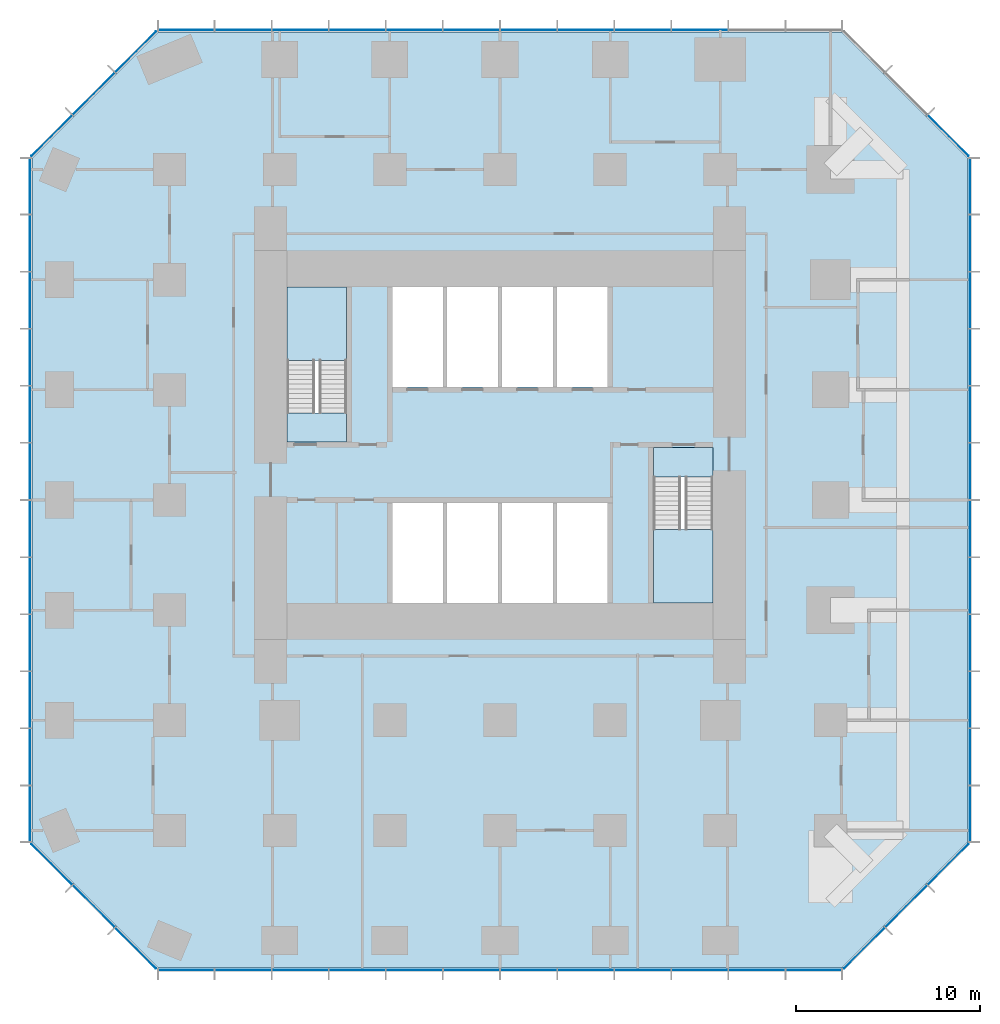
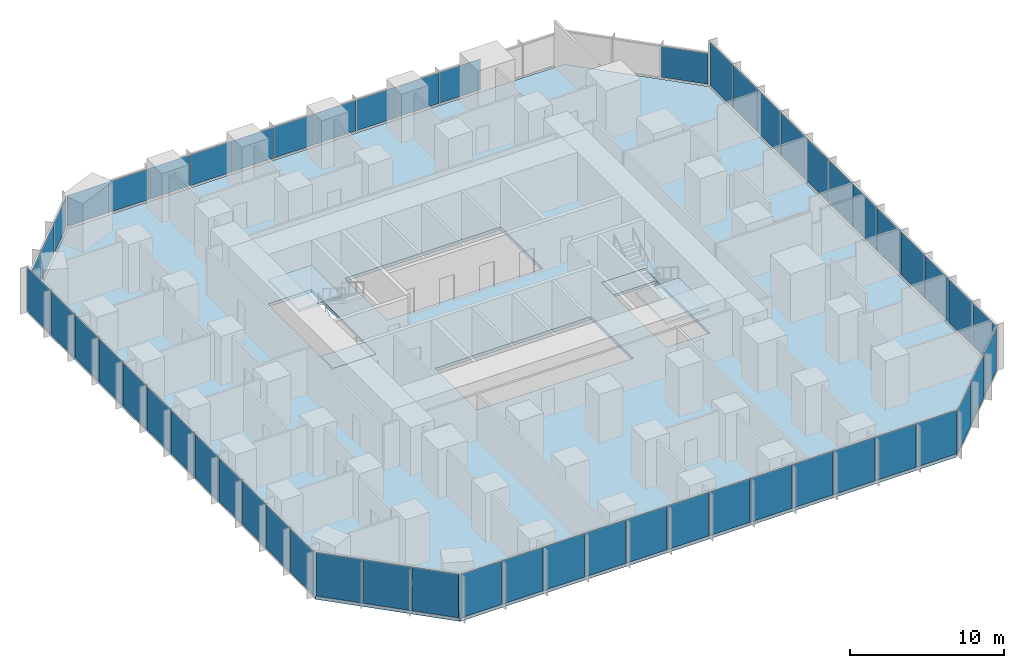
# One storey, part 8 of 13: 56 plates, 5 slabs, 10 elements without a shape of their own.
"""IFC4 building model written with IfcOpenShell, lengths in metres."""

from ifc_helpers import new_model, si_unit, direction, frame, origin, origin_2d, place, context, subcontext, project, spatial, polyline, rectangle, outline, extrude, material, layer, layer_set, type_object, element, aggregate, save


model = new_model("IFC4")

# Units and contexts
model_context = context("Model", 3, precision=1e-05, world=origin(), true_north=direction((0.0, 1.0)))
body_context = subcontext(model_context, "Body", "Model", "MODEL_VIEW")
ifc_project = project(units=[si_unit("LENGTHUNIT", "METRE"), si_unit("AREAUNIT", "SQUARE_METRE"), si_unit("VOLUMEUNIT", "CUBIC_METRE"), si_unit("PLANEANGLEUNIT", "RADIAN"), si_unit("MASSUNIT", "GRAM", prefix="KILO")], contexts=[model_context])

# Site, building, storey
site_placement = place(None, origin())
site = spatial("IfcSite", under=ifc_project, at=site_placement, CompositionType="ELEMENT")
building_placement = place(site_placement, origin())
building = spatial("IfcBuilding", under=site, at=building_placement, Name="Highveld Stack Headquarters", CompositionType="ELEMENT")
storey_placement = place(building_placement, frame((0.0, 0.0, 61.10009765625)))
storey = spatial("IfcBuildingStorey", under=building, at=storey_placement, Name="L14", CompositionType="ELEMENT", Elevation=61.10009765625)

# Curtain wall, plates
ifc_material_1 = material(Name="Aluminium bronze anodised", Category="aluminium")
ifc_layer_1 = layer(ifc_material_1, 0.199951171875)
ifc_layer_set_1 = layer_set([ifc_layer_1], Name="Aluminium bronze anodised")
curtain_wall_type_1 = type_object("IfcCurtainWallType", Name="CW1 TOWER UNITISED CURTAIN WALL", PredefinedType="NOTDEFINED", material=ifc_layer_set_1)
curtain_wall_1_placement = place(storey_placement, origin())
curtain_wall_1 = element("IfcCurtainWall", 1, at=curtain_wall_1_placement, inside=storey, type_object=curtain_wall_type_1, Name="Curtain wall CW1 L14 S", PredefinedType="NOTDEFINED")
ifc_material_2 = material(Name="Glass bronze tinted double glazed unit", Category="glass")
ifc_layer_2 = layer(ifc_material_2, 0.028076171875)
ifc_layer_set_2 = layer_set([ifc_layer_2], Name="Glass bronze tinted double glazed unit")
plate_type_1 = type_object("IfcPlateType", Name="CW1 PANEL BRONZE TINTED DOUBLE GLAZED UNIT", PredefinedType="CURTAIN_PANEL", material=ifc_layer_set_2)
plate_1_placement = place(storey_placement, frame((-11.09130859375, -25.60009765625, 0.10009765625), z_axis=(0.0, 0.0, 1.0), x_axis=(1.0, 0.0, 0.0)))
plate_1 = element("IfcPlate", 2, at=plate_1_placement, type_object=plate_type_1, Name="CW1 panel L14 1.1", PredefinedType="CURTAIN_PANEL", context=body_context, shape_type="SweptSolid", body=[
    extrude(rectangle(XDim=3.012939453125, YDim=0.028076171875, at=origin_2d()), origin(), (0.0, 0.0, 1.0), 3.449951171875),
])
plate_2_placement = place(storey_placement, frame((-7.9970703125, -25.60009765625, 0.10009765625), z_axis=(0.0, 0.0, 1.0), x_axis=(1.0, 0.0, 0.0)))
plate_2 = element("IfcPlate", 3, at=plate_2_placement, type_object=plate_type_1, Name="CW1 panel L14 2.1", PredefinedType="CURTAIN_PANEL", context=body_context, shape_type="SweptSolid", body=[
    extrude(rectangle(XDim=3.04541015625, YDim=0.028076171875, at=origin_2d()), origin(), (0.0, 0.0, 1.0), 3.449951171875),
])
plate_3_placement = place(storey_placement, frame((-4.88671875, -25.60009765625, 0.10009765625), z_axis=(0.0, 0.0, 1.0), x_axis=(1.0, 0.0, 0.0)))
plate_3 = element("IfcPlate", 4, at=plate_3_placement, type_object=plate_type_1, Name="CW1 panel L14 3.1", PredefinedType="CURTAIN_PANEL", context=body_context, shape_type="SweptSolid", body=[
    extrude(rectangle(XDim=3.04541015625, YDim=0.028076171875, at=origin_2d()), origin(), (0.0, 0.0, 1.0), 3.449951171875),
])
plate_4_placement = place(storey_placement, frame((-1.776123046875, -25.60009765625, 0.10009765625), z_axis=(0.0, 0.0, 1.0), x_axis=(1.0, 0.0, 0.0)))
plate_4 = element("IfcPlate", 5, at=plate_4_placement, type_object=plate_type_1, Name="CW1 panel L14 4.1", PredefinedType="CURTAIN_PANEL", context=body_context, shape_type="SweptSolid", body=[
    extrude(rectangle(XDim=3.04541015625, YDim=0.028076171875, at=origin_2d()), origin(), (0.0, 0.0, 1.0), 3.449951171875),
])
plate_5_placement = place(storey_placement, frame((1.334228515625, -25.60009765625, 0.10009765625), z_axis=(0.0, 0.0, 1.0), x_axis=(1.0, 0.0, 0.0)))
plate_5 = element("IfcPlate", 6, at=plate_5_placement, type_object=plate_type_1, Name="CW1 panel L14 5.1", PredefinedType="CURTAIN_PANEL", context=body_context, shape_type="SweptSolid", body=[
    extrude(rectangle(XDim=3.04541015625, YDim=0.028076171875, at=origin_2d()), origin(), (0.0, 0.0, 1.0), 3.449951171875),
])
plate_6_placement = place(storey_placement, frame((4.44482421875, -25.60009765625, 0.10009765625), z_axis=(0.0, 0.0, 1.0), x_axis=(1.0, 0.0, 0.0)))
plate_6 = element("IfcPlate", 7, at=plate_6_placement, type_object=plate_type_1, Name="CW1 panel L14 6.1", PredefinedType="CURTAIN_PANEL", context=body_context, shape_type="SweptSolid", body=[
    extrude(rectangle(XDim=3.04541015625, YDim=0.028076171875, at=origin_2d()), origin(), (0.0, 0.0, 1.0), 3.449951171875),
])
plate_7_placement = place(storey_placement, frame((7.55517578125, -25.60009765625, 0.10009765625), z_axis=(0.0, 0.0, 1.0), x_axis=(1.0, 0.0, 0.0)))
plate_7 = element("IfcPlate", 8, at=plate_7_placement, type_object=plate_type_1, Name="CW1 panel L14 7.1", PredefinedType="CURTAIN_PANEL", context=body_context, shape_type="SweptSolid", body=[
    extrude(rectangle(XDim=3.04541015625, YDim=0.028076171875, at=origin_2d()), origin(), (0.0, 0.0, 1.0), 3.449951171875),
])
plate_8_placement = place(storey_placement, frame((10.665771484375, -25.60009765625, 0.10009765625), z_axis=(0.0, 0.0, 1.0), x_axis=(1.0, 0.0, 0.0)))
plate_8 = element("IfcPlate", 9, at=plate_8_placement, type_object=plate_type_1, Name="CW1 panel L14 8.1", PredefinedType="CURTAIN_PANEL", context=body_context, shape_type="SweptSolid", body=[
    extrude(rectangle(XDim=3.04541015625, YDim=0.028076171875, at=origin_2d()), origin(), (0.0, 0.0, 1.0), 3.449951171875),
])
plate_9_placement = place(storey_placement, frame((13.776123046875, -25.60009765625, 0.10009765625), z_axis=(0.0, 0.0, 1.0), x_axis=(1.0, 0.0, 0.0)))
plate_9 = element("IfcPlate", 10, at=plate_9_placement, type_object=plate_type_1, Name="CW1 panel L14 9.1", PredefinedType="CURTAIN_PANEL", context=body_context, shape_type="SweptSolid", body=[
    extrude(rectangle(XDim=3.04541015625, YDim=0.028076171875, at=origin_2d()), origin(), (0.0, 0.0, 1.0), 3.449951171875),
])
plate_10_placement = place(storey_placement, frame((16.88671875, -25.60009765625, 0.10009765625), z_axis=(0.0, 0.0, 1.0), x_axis=(1.0, 0.0, 0.0)))
plate_10 = element("IfcPlate", 11, at=plate_10_placement, type_object=plate_type_1, Name="CW1 panel L14 10.1", PredefinedType="CURTAIN_PANEL", context=body_context, shape_type="SweptSolid", body=[
    extrude(rectangle(XDim=3.04541015625, YDim=0.028076171875, at=origin_2d()), origin(), (0.0, 0.0, 1.0), 3.449951171875),
])
plate_11_placement = place(storey_placement, frame((19.9970703125, -25.60009765625, 0.10009765625), z_axis=(0.0, 0.0, 1.0), x_axis=(1.0, 0.0, 0.0)))
plate_11 = element("IfcPlate", 12, at=plate_11_placement, type_object=plate_type_1, Name="CW1 panel L14 11.1", PredefinedType="CURTAIN_PANEL", context=body_context, shape_type="SweptSolid", body=[
    extrude(rectangle(XDim=3.04541015625, YDim=0.028076171875, at=origin_2d()), origin(), (0.0, 0.0, 1.0), 3.449951171875),
])
plate_12_placement = place(storey_placement, frame((23.09130859375, -25.60009765625, 0.10009765625), z_axis=(0.0, 0.0, 1.0), x_axis=(1.0, 0.0, 0.0)))
plate_12 = element("IfcPlate", 13, at=plate_12_placement, type_object=plate_type_1, Name="CW1 panel L14 12.1", PredefinedType="CURTAIN_PANEL", context=body_context, shape_type="SweptSolid", body=[
    extrude(rectangle(XDim=3.012939453125, YDim=0.028076171875, at=origin_2d()), origin(), (0.0, 0.0, 1.0), 3.449951171875),
])
aggregate(curtain_wall_1, [plate_1, plate_2, plate_3, plate_4, plate_5, plate_6, plate_7, plate_8, plate_9, plate_10, plate_11, plate_12])

curtain_wall_2_placement = place(storey_placement, origin())
curtain_wall_2 = element("IfcCurtainWall", 14, at=curtain_wall_2_placement, inside=storey, type_object=curtain_wall_type_1, Name="Curtain wall CW1 L14 E", PredefinedType="NOTDEFINED")
plate_13_placement = place(storey_placement, frame((31.60009765625, -17.09130859375, 0.10009765625), z_axis=(0.0, 0.0, 1.0), x_axis=(0.0, 1.0, 0.0)))
plate_13 = element("IfcPlate", 15, at=plate_13_placement, type_object=plate_type_1, Name="CW1 panel L14 1.1", PredefinedType="CURTAIN_PANEL", context=body_context, shape_type="SweptSolid", body=[
    extrude(rectangle(XDim=3.012939453125, YDim=0.028076171875, at=origin_2d()), origin(), (0.0, 0.0, 1.0), 3.449951171875),
])
plate_14_placement = place(storey_placement, frame((31.60009765625, -13.9970703125, 0.10009765625), z_axis=(0.0, 0.0, 1.0), x_axis=(0.0, 1.0, 0.0)))
plate_14 = element("IfcPlate", 16, at=plate_14_placement, type_object=plate_type_1, Name="CW1 panel L14 2.1", PredefinedType="CURTAIN_PANEL", context=body_context, shape_type="SweptSolid", body=[
    extrude(rectangle(XDim=3.04541015625, YDim=0.028076171875, at=origin_2d()), origin(), (0.0, 0.0, 1.0), 3.449951171875),
])
plate_15_placement = place(storey_placement, frame((31.60009765625, -10.88671875, 0.10009765625), z_axis=(0.0, 0.0, 1.0), x_axis=(0.0, 1.0, 0.0)))
plate_15 = element("IfcPlate", 17, at=plate_15_placement, type_object=plate_type_1, Name="CW1 panel L14 3.1", PredefinedType="CURTAIN_PANEL", context=body_context, shape_type="SweptSolid", body=[
    extrude(rectangle(XDim=3.04541015625, YDim=0.028076171875, at=origin_2d()), origin(), (0.0, 0.0, 1.0), 3.449951171875),
])
plate_16_placement = place(storey_placement, frame((31.60009765625, -7.776123046875, 0.10009765625), z_axis=(0.0, 0.0, 1.0), x_axis=(0.0, 1.0, 0.0)))
plate_16 = element("IfcPlate", 18, at=plate_16_placement, type_object=plate_type_1, Name="CW1 panel L14 4.1", PredefinedType="CURTAIN_PANEL", context=body_context, shape_type="SweptSolid", body=[
    extrude(rectangle(XDim=3.04541015625, YDim=0.028076171875, at=origin_2d()), origin(), (0.0, 0.0, 1.0), 3.449951171875),
])
plate_17_placement = place(storey_placement, frame((31.60009765625, -4.665771484375, 0.10009765625), z_axis=(0.0, 0.0, 1.0), x_axis=(0.0, 1.0, 0.0)))
plate_17 = element("IfcPlate", 19, at=plate_17_placement, type_object=plate_type_1, Name="CW1 panel L14 5.1", PredefinedType="CURTAIN_PANEL", context=body_context, shape_type="SweptSolid", body=[
    extrude(rectangle(XDim=3.04541015625, YDim=0.028076171875, at=origin_2d()), origin(), (0.0, 0.0, 1.0), 3.449951171875),
])
plate_18_placement = place(storey_placement, frame((31.60009765625, -1.55517578125, 0.10009765625), z_axis=(0.0, 0.0, 1.0), x_axis=(0.0, 1.0, 0.0)))
plate_18 = element("IfcPlate", 20, at=plate_18_placement, type_object=plate_type_1, Name="CW1 panel L14 6.1", PredefinedType="CURTAIN_PANEL", context=body_context, shape_type="SweptSolid", body=[
    extrude(rectangle(XDim=3.04541015625, YDim=0.028076171875, at=origin_2d()), origin(), (0.0, 0.0, 1.0), 3.449951171875),
])
plate_19_placement = place(storey_placement, frame((31.60009765625, 1.55517578125, 0.10009765625), z_axis=(0.0, 0.0, 1.0), x_axis=(0.0, 1.0, 0.0)))
plate_19 = element("IfcPlate", 21, at=plate_19_placement, type_object=plate_type_1, Name="CW1 panel L14 7.1", PredefinedType="CURTAIN_PANEL", context=body_context, shape_type="SweptSolid", body=[
    extrude(rectangle(XDim=3.04541015625, YDim=0.028076171875, at=origin_2d()), origin(), (0.0, 0.0, 1.0), 3.449951171875),
])
plate_20_placement = place(storey_placement, frame((31.60009765625, 4.665771484375, 0.10009765625), z_axis=(0.0, 0.0, 1.0), x_axis=(0.0, 1.0, 0.0)))
plate_20 = element("IfcPlate", 22, at=plate_20_placement, type_object=plate_type_1, Name="CW1 panel L14 8.1", PredefinedType="CURTAIN_PANEL", context=body_context, shape_type="SweptSolid", body=[
    extrude(rectangle(XDim=3.04541015625, YDim=0.028076171875, at=origin_2d()), origin(), (0.0, 0.0, 1.0), 3.449951171875),
])
plate_21_placement = place(storey_placement, frame((31.60009765625, 7.776123046875, 0.10009765625), z_axis=(0.0, 0.0, 1.0), x_axis=(0.0, 1.0, 0.0)))
plate_21 = element("IfcPlate", 23, at=plate_21_placement, type_object=plate_type_1, Name="CW1 panel L14 9.1", PredefinedType="CURTAIN_PANEL", context=body_context, shape_type="SweptSolid", body=[
    extrude(rectangle(XDim=3.04541015625, YDim=0.028076171875, at=origin_2d()), origin(), (0.0, 0.0, 1.0), 3.449951171875),
])
plate_22_placement = place(storey_placement, frame((31.60009765625, 10.88671875, 0.10009765625), z_axis=(0.0, 0.0, 1.0), x_axis=(0.0, 1.0, 0.0)))
plate_22 = element("IfcPlate", 24, at=plate_22_placement, type_object=plate_type_1, Name="CW1 panel L14 10.1", PredefinedType="CURTAIN_PANEL", context=body_context, shape_type="SweptSolid", body=[
    extrude(rectangle(XDim=3.04541015625, YDim=0.028076171875, at=origin_2d()), origin(), (0.0, 0.0, 1.0), 3.449951171875),
])
plate_23_placement = place(storey_placement, frame((31.60009765625, 13.9970703125, 0.10009765625), z_axis=(0.0, 0.0, 1.0), x_axis=(0.0, 1.0, 0.0)))
plate_23 = element("IfcPlate", 25, at=plate_23_placement, type_object=plate_type_1, Name="CW1 panel L14 11.1", PredefinedType="CURTAIN_PANEL", context=body_context, shape_type="SweptSolid", body=[
    extrude(rectangle(XDim=3.04541015625, YDim=0.028076171875, at=origin_2d()), origin(), (0.0, 0.0, 1.0), 3.449951171875),
])
plate_24_placement = place(storey_placement, frame((31.60009765625, 17.09130859375, 0.10009765625), z_axis=(0.0, 0.0, 1.0), x_axis=(0.0, 1.0, 0.0)))
plate_24 = element("IfcPlate", 26, at=plate_24_placement, type_object=plate_type_1, Name="CW1 panel L14 12.1", PredefinedType="CURTAIN_PANEL", context=body_context, shape_type="SweptSolid", body=[
    extrude(rectangle(XDim=3.012939453125, YDim=0.028076171875, at=origin_2d()), origin(), (0.0, 0.0, 1.0), 3.449951171875),
])
aggregate(curtain_wall_2, [plate_13, plate_14, plate_15, plate_16, plate_17, plate_18, plate_19, plate_20, plate_21, plate_22, plate_23, plate_24])

curtain_wall_3_placement = place(storey_placement, origin())
curtain_wall_3 = element("IfcCurtainWall", 27, at=curtain_wall_3_placement, inside=storey, type_object=curtain_wall_type_1, Name="Curtain wall CW1 L14 N", PredefinedType="NOTDEFINED")
plate_25_placement = place(storey_placement, frame((16.88671875, 25.60009765625, 0.10009765625), z_axis=(0.0, 0.0, 1.0), x_axis=(-1.0, 0.0, 0.0)))
plate_25 = element("IfcPlate", 28, at=plate_25_placement, type_object=plate_type_1, Name="CW1 panel L14 3.1", PredefinedType="CURTAIN_PANEL", context=body_context, shape_type="SweptSolid", body=[
    extrude(rectangle(XDim=3.04541015625, YDim=0.028076171875, at=origin_2d()), origin(), (0.0, 0.0, 1.0), 2.449951171875),
])
plate_26_placement = place(storey_placement, frame((13.776123046875, 25.60009765625, 0.10009765625), z_axis=(0.0, 0.0, 1.0), x_axis=(-1.0, 0.0, 0.0)))
plate_26 = element("IfcPlate", 29, at=plate_26_placement, type_object=plate_type_1, Name="CW1 panel L14 4.1", PredefinedType="CURTAIN_PANEL", context=body_context, shape_type="SweptSolid", body=[
    extrude(rectangle(XDim=3.04541015625, YDim=0.028076171875, at=origin_2d()), origin(), (0.0, 0.0, 1.0), 2.449951171875),
])
plate_27_placement = place(storey_placement, frame((10.665771484375, 25.60009765625, 0.10009765625), z_axis=(0.0, 0.0, 1.0), x_axis=(-1.0, 0.0, 0.0)))
plate_27 = element("IfcPlate", 30, at=plate_27_placement, type_object=plate_type_1, Name="CW1 panel L14 5.1", PredefinedType="CURTAIN_PANEL", context=body_context, shape_type="SweptSolid", body=[
    extrude(rectangle(XDim=3.04541015625, YDim=0.028076171875, at=origin_2d()), origin(), (0.0, 0.0, 1.0), 2.449951171875),
])
plate_28_placement = place(storey_placement, frame((7.55517578125, 25.60009765625, 0.10009765625), z_axis=(0.0, 0.0, 1.0), x_axis=(-1.0, 0.0, 0.0)))
plate_28 = element("IfcPlate", 31, at=plate_28_placement, type_object=plate_type_1, Name="CW1 panel L14 6.1", PredefinedType="CURTAIN_PANEL", context=body_context, shape_type="SweptSolid", body=[
    extrude(rectangle(XDim=3.04541015625, YDim=0.028076171875, at=origin_2d()), origin(), (0.0, 0.0, 1.0), 2.449951171875),
])
plate_29_placement = place(storey_placement, frame((4.44482421875, 25.60009765625, 0.10009765625), z_axis=(0.0, 0.0, 1.0), x_axis=(-1.0, 0.0, 0.0)))
plate_29 = element("IfcPlate", 32, at=plate_29_placement, type_object=plate_type_1, Name="CW1 panel L14 7.1", PredefinedType="CURTAIN_PANEL", context=body_context, shape_type="SweptSolid", body=[
    extrude(rectangle(XDim=3.04541015625, YDim=0.028076171875, at=origin_2d()), origin(), (0.0, 0.0, 1.0), 2.449951171875),
])
plate_30_placement = place(storey_placement, frame((1.334228515625, 25.60009765625, 0.10009765625), z_axis=(0.0, 0.0, 1.0), x_axis=(-1.0, 0.0, 0.0)))
plate_30 = element("IfcPlate", 33, at=plate_30_placement, type_object=plate_type_1, Name="CW1 panel L14 8.1", PredefinedType="CURTAIN_PANEL", context=body_context, shape_type="SweptSolid", body=[
    extrude(rectangle(XDim=3.04541015625, YDim=0.028076171875, at=origin_2d()), origin(), (0.0, 0.0, 1.0), 2.449951171875),
])
plate_31_placement = place(storey_placement, frame((-1.776123046875, 25.60009765625, 0.10009765625), z_axis=(0.0, 0.0, 1.0), x_axis=(-1.0, 0.0, 0.0)))
plate_31 = element("IfcPlate", 34, at=plate_31_placement, type_object=plate_type_1, Name="CW1 panel L14 9.1", PredefinedType="CURTAIN_PANEL", context=body_context, shape_type="SweptSolid", body=[
    extrude(rectangle(XDim=3.04541015625, YDim=0.028076171875, at=origin_2d()), origin(), (0.0, 0.0, 1.0), 2.449951171875),
])
plate_32_placement = place(storey_placement, frame((-4.88671875, 25.60009765625, 0.10009765625), z_axis=(0.0, 0.0, 1.0), x_axis=(-1.0, 0.0, 0.0)))
plate_32 = element("IfcPlate", 35, at=plate_32_placement, type_object=plate_type_1, Name="CW1 panel L14 10.1", PredefinedType="CURTAIN_PANEL", context=body_context, shape_type="SweptSolid", body=[
    extrude(rectangle(XDim=3.04541015625, YDim=0.028076171875, at=origin_2d()), origin(), (0.0, 0.0, 1.0), 2.449951171875),
])
plate_33_placement = place(storey_placement, frame((-7.9970703125, 25.60009765625, 0.10009765625), z_axis=(0.0, 0.0, 1.0), x_axis=(-1.0, 0.0, 0.0)))
plate_33 = element("IfcPlate", 36, at=plate_33_placement, type_object=plate_type_1, Name="CW1 panel L14 11.1", PredefinedType="CURTAIN_PANEL", context=body_context, shape_type="SweptSolid", body=[
    extrude(rectangle(XDim=3.04541015625, YDim=0.028076171875, at=origin_2d()), origin(), (0.0, 0.0, 1.0), 2.449951171875),
])
plate_34_placement = place(storey_placement, frame((-11.09130859375, 25.60009765625, 0.10009765625), z_axis=(0.0, 0.0, 1.0), x_axis=(-1.0, 0.0, 0.0)))
plate_34 = element("IfcPlate", 37, at=plate_34_placement, type_object=plate_type_1, Name="CW1 panel L14 12.1", PredefinedType="CURTAIN_PANEL", context=body_context, shape_type="SweptSolid", body=[
    extrude(rectangle(XDim=3.012939453125, YDim=0.028076171875, at=origin_2d()), origin(), (0.0, 0.0, 1.0), 2.449951171875),
])
aggregate(curtain_wall_3, [plate_25, plate_26, plate_27, plate_28, plate_29, plate_30, plate_31, plate_32, plate_33, plate_34])

curtain_wall_4_placement = place(storey_placement, origin())
curtain_wall_4 = element("IfcCurtainWall", 38, at=curtain_wall_4_placement, inside=storey, type_object=curtain_wall_type_1, Name="Curtain wall CW1 L14 W", PredefinedType="NOTDEFINED")
plate_35_placement = place(storey_placement, frame((-19.60009765625, 17.09130859375, 0.10009765625), z_axis=(0.0, 0.0, 1.0), x_axis=(0.0, -1.0, 0.0)))
plate_35 = element("IfcPlate", 39, at=plate_35_placement, type_object=plate_type_1, Name="CW1 panel L14 1.1", PredefinedType="CURTAIN_PANEL", context=body_context, shape_type="SweptSolid", body=[
    extrude(rectangle(XDim=3.012939453125, YDim=0.028076171875, at=origin_2d()), origin(), (0.0, 0.0, 1.0), 3.449951171875),
])
plate_36_placement = place(storey_placement, frame((-19.60009765625, 13.9970703125, 0.10009765625), z_axis=(0.0, 0.0, 1.0), x_axis=(0.0, -1.0, 0.0)))
plate_36 = element("IfcPlate", 40, at=plate_36_placement, type_object=plate_type_1, Name="CW1 panel L14 2.1", PredefinedType="CURTAIN_PANEL", context=body_context, shape_type="SweptSolid", body=[
    extrude(rectangle(XDim=3.04541015625, YDim=0.028076171875, at=origin_2d()), origin(), (0.0, 0.0, 1.0), 3.449951171875),
])
plate_37_placement = place(storey_placement, frame((-19.60009765625, 10.88671875, 0.10009765625), z_axis=(0.0, 0.0, 1.0), x_axis=(0.0, -1.0, 0.0)))
plate_37 = element("IfcPlate", 41, at=plate_37_placement, type_object=plate_type_1, Name="CW1 panel L14 3.1", PredefinedType="CURTAIN_PANEL", context=body_context, shape_type="SweptSolid", body=[
    extrude(rectangle(XDim=3.04541015625, YDim=0.028076171875, at=origin_2d()), origin(), (0.0, 0.0, 1.0), 3.449951171875),
])
plate_38_placement = place(storey_placement, frame((-19.60009765625, 7.776123046875, 0.10009765625), z_axis=(0.0, 0.0, 1.0), x_axis=(0.0, -1.0, 0.0)))
plate_38 = element("IfcPlate", 42, at=plate_38_placement, type_object=plate_type_1, Name="CW1 panel L14 4.1", PredefinedType="CURTAIN_PANEL", context=body_context, shape_type="SweptSolid", body=[
    extrude(rectangle(XDim=3.04541015625, YDim=0.028076171875, at=origin_2d()), origin(), (0.0, 0.0, 1.0), 3.449951171875),
])
plate_39_placement = place(storey_placement, frame((-19.60009765625, 4.665771484375, 0.10009765625), z_axis=(0.0, 0.0, 1.0), x_axis=(0.0, -1.0, 0.0)))
plate_39 = element("IfcPlate", 43, at=plate_39_placement, type_object=plate_type_1, Name="CW1 panel L14 5.1", PredefinedType="CURTAIN_PANEL", context=body_context, shape_type="SweptSolid", body=[
    extrude(rectangle(XDim=3.04541015625, YDim=0.028076171875, at=origin_2d()), origin(), (0.0, 0.0, 1.0), 3.449951171875),
])
plate_40_placement = place(storey_placement, frame((-19.60009765625, 1.55517578125, 0.10009765625), z_axis=(0.0, 0.0, 1.0), x_axis=(0.0, -1.0, 0.0)))
plate_40 = element("IfcPlate", 44, at=plate_40_placement, type_object=plate_type_1, Name="CW1 panel L14 6.1", PredefinedType="CURTAIN_PANEL", context=body_context, shape_type="SweptSolid", body=[
    extrude(rectangle(XDim=3.04541015625, YDim=0.028076171875, at=origin_2d()), origin(), (0.0, 0.0, 1.0), 3.449951171875),
])
plate_41_placement = place(storey_placement, frame((-19.60009765625, -1.55517578125, 0.10009765625), z_axis=(0.0, 0.0, 1.0), x_axis=(0.0, -1.0, 0.0)))
plate_41 = element("IfcPlate", 45, at=plate_41_placement, type_object=plate_type_1, Name="CW1 panel L14 7.1", PredefinedType="CURTAIN_PANEL", context=body_context, shape_type="SweptSolid", body=[
    extrude(rectangle(XDim=3.04541015625, YDim=0.028076171875, at=origin_2d()), origin(), (0.0, 0.0, 1.0), 3.449951171875),
])
plate_42_placement = place(storey_placement, frame((-19.60009765625, -4.665771484375, 0.10009765625), z_axis=(0.0, 0.0, 1.0), x_axis=(0.0, -1.0, 0.0)))
plate_42 = element("IfcPlate", 46, at=plate_42_placement, type_object=plate_type_1, Name="CW1 panel L14 8.1", PredefinedType="CURTAIN_PANEL", context=body_context, shape_type="SweptSolid", body=[
    extrude(rectangle(XDim=3.04541015625, YDim=0.028076171875, at=origin_2d()), origin(), (0.0, 0.0, 1.0), 3.449951171875),
])
plate_43_placement = place(storey_placement, frame((-19.60009765625, -7.776123046875, 0.10009765625), z_axis=(0.0, 0.0, 1.0), x_axis=(0.0, -1.0, 0.0)))
plate_43 = element("IfcPlate", 47, at=plate_43_placement, type_object=plate_type_1, Name="CW1 panel L14 9.1", PredefinedType="CURTAIN_PANEL", context=body_context, shape_type="SweptSolid", body=[
    extrude(rectangle(XDim=3.04541015625, YDim=0.028076171875, at=origin_2d()), origin(), (0.0, 0.0, 1.0), 3.449951171875),
])
plate_44_placement = place(storey_placement, frame((-19.60009765625, -10.88671875, 0.10009765625), z_axis=(0.0, 0.0, 1.0), x_axis=(0.0, -1.0, 0.0)))
plate_44 = element("IfcPlate", 48, at=plate_44_placement, type_object=plate_type_1, Name="CW1 panel L14 10.1", PredefinedType="CURTAIN_PANEL", context=body_context, shape_type="SweptSolid", body=[
    extrude(rectangle(XDim=3.04541015625, YDim=0.028076171875, at=origin_2d()), origin(), (0.0, 0.0, 1.0), 3.449951171875),
])
plate_45_placement = place(storey_placement, frame((-19.60009765625, -13.9970703125, 0.10009765625), z_axis=(0.0, 0.0, 1.0), x_axis=(0.0, -1.0, 0.0)))
plate_45 = element("IfcPlate", 49, at=plate_45_placement, type_object=plate_type_1, Name="CW1 panel L14 11.1", PredefinedType="CURTAIN_PANEL", context=body_context, shape_type="SweptSolid", body=[
    extrude(rectangle(XDim=3.04541015625, YDim=0.028076171875, at=origin_2d()), origin(), (0.0, 0.0, 1.0), 3.449951171875),
])
plate_46_placement = place(storey_placement, frame((-19.60009765625, -17.09130859375, 0.10009765625), z_axis=(0.0, 0.0, 1.0), x_axis=(0.0, -1.0, 0.0)))
plate_46 = element("IfcPlate", 50, at=plate_46_placement, type_object=plate_type_1, Name="CW1 panel L14 12.1", PredefinedType="CURTAIN_PANEL", context=body_context, shape_type="SweptSolid", body=[
    extrude(rectangle(XDim=3.012939453125, YDim=0.028076171875, at=origin_2d()), origin(), (0.0, 0.0, 1.0), 3.449951171875),
])
aggregate(curtain_wall_4, [plate_35, plate_36, plate_37, plate_38, plate_39, plate_40, plate_41, plate_42, plate_43, plate_44, plate_45, plate_46])

ifc_material_3 = material(Name="Aluminium bronze anodised", Category="aluminium")
ifc_layer_3 = layer(ifc_material_3, 0.199951171875)
ifc_layer_set_3 = layer_set([ifc_layer_3], Name="Aluminium bronze anodised")
curtain_wall_type_2 = type_object("IfcCurtainWallType", Name="CW2 TOWER CHAMFER UNITISED CURTAIN WALL", PredefinedType="NOTDEFINED", material=ifc_layer_set_3)
curtain_wall_5_placement = place(storey_placement, origin())
curtain_wall_5 = element("IfcCurtainWall", 51, at=curtain_wall_5_placement, inside=storey, type_object=curtain_wall_type_2, Name="Curtain wall CW2 L14 SE", PredefinedType="NOTDEFINED")
ifc_material_4 = material(Name="Glass bronze tinted double glazed unit", Category="glass")
ifc_layer_4 = layer(ifc_material_4, 0.028076171875)
ifc_layer_set_4 = layer_set([ifc_layer_4], Name="Glass bronze tinted double glazed unit")
plate_type_2 = type_object("IfcPlateType", Name="CW2 PANEL BRONZE TINTED DOUBLE GLAZED UNIT", PredefinedType="CURTAIN_PANEL", material=ifc_layer_set_4)
plate_47_placement = place(storey_placement, frame((25.8427734375, -24.419921875, 0.10009765625), z_axis=(0.0, 0.0, 1.0), x_axis=(0.707106781187, 0.707106781187, 0.0)))
plate_47 = element("IfcPlate", 52, at=plate_47_placement, type_object=plate_type_2, Name="CW2 panel L14 1.1", PredefinedType="CURTAIN_PANEL", context=body_context, shape_type="SweptSolid", body=[
    extrude(rectangle(XDim=3.1376953125, YDim=0.028076171875, at=origin_2d()), origin(), (0.0, 0.0, 1.0), 3.449951171875),
])
plate_48_placement = place(storey_placement, frame((28.13134765625, -22.13134765625, 0.10009765625), z_axis=(0.0, 0.0, 1.0), x_axis=(0.707106781187, 0.707106781187, 0.0)))
plate_48 = element("IfcPlate", 53, at=plate_48_placement, type_object=plate_type_2, Name="CW2 panel L14 2.1", PredefinedType="CURTAIN_PANEL", context=body_context, shape_type="SweptSolid", body=[
    extrude(rectangle(XDim=3.205322265625, YDim=0.028076171875, at=origin_2d()), origin(), (0.0, 0.0, 1.0), 3.449951171875),
])
plate_49_placement = place(storey_placement, frame((30.419921875, -19.8427734375, 0.10009765625), z_axis=(0.0, 0.0, 1.0), x_axis=(0.707106781187, 0.707106781187, 0.0)))
plate_49 = element("IfcPlate", 54, at=plate_49_placement, type_object=plate_type_2, Name="CW2 panel L14 3.1", PredefinedType="CURTAIN_PANEL", context=body_context, shape_type="SweptSolid", body=[
    extrude(rectangle(XDim=3.1376953125, YDim=0.028076171875, at=origin_2d()), origin(), (0.0, 0.0, 1.0), 3.449951171875),
])
aggregate(curtain_wall_5, [plate_47, plate_48, plate_49])

# Curtain wall, plate
curtain_wall_6_placement = place(storey_placement, origin())
curtain_wall_6 = element("IfcCurtainWall", 55, at=curtain_wall_6_placement, inside=storey, type_object=curtain_wall_type_2, Name="Curtain wall CW2 L14 NE", PredefinedType="NOTDEFINED")
plate_50_placement = place(storey_placement, frame((30.419921875, 19.8427734375, 0.10009765625), z_axis=(0.0, 0.0, 1.0), x_axis=(-0.707106781187, 0.707106781187, 0.0)))
plate_50 = element("IfcPlate", 56, at=plate_50_placement, type_object=plate_type_2, Name="CW2 panel L14 1.1", PredefinedType="CURTAIN_PANEL", context=body_context, shape_type="SweptSolid", body=[
    extrude(rectangle(XDim=3.1376953125, YDim=0.028076171875, at=origin_2d()), origin(), (0.0, 0.0, 1.0), 2.449951171875),
])
aggregate(curtain_wall_6, [plate_50])

# Curtain wall, plates
curtain_wall_7_placement = place(storey_placement, origin())
curtain_wall_7 = element("IfcCurtainWall", 57, at=curtain_wall_7_placement, inside=storey, type_object=curtain_wall_type_2, Name="Curtain wall CW2 L14 NW", PredefinedType="NOTDEFINED")
plate_51_placement = place(storey_placement, frame((-13.8427734375, 24.419921875, 0.10009765625), z_axis=(0.0, 0.0, 1.0), x_axis=(-0.707106781187, -0.707106781187, 0.0)))
plate_51 = element("IfcPlate", 58, at=plate_51_placement, type_object=plate_type_2, Name="CW2 panel L14 1.1", PredefinedType="CURTAIN_PANEL", context=body_context, shape_type="SweptSolid", body=[
    extrude(rectangle(XDim=3.1376953125, YDim=0.028076171875, at=origin_2d()), origin(), (0.0, 0.0, 1.0), 2.449951171875),
])
plate_52_placement = place(storey_placement, frame((-16.13134765625, 22.13134765625, 0.10009765625), z_axis=(0.0, 0.0, 1.0), x_axis=(-0.707106781187, -0.707106781187, 0.0)))
plate_52 = element("IfcPlate", 59, at=plate_52_placement, type_object=plate_type_2, Name="CW2 panel L14 2.1", PredefinedType="CURTAIN_PANEL", context=body_context, shape_type="SweptSolid", body=[
    extrude(rectangle(XDim=3.205322265625, YDim=0.028076171875, at=origin_2d()), origin(), (0.0, 0.0, 1.0), 2.449951171875),
])
plate_53_placement = place(storey_placement, frame((-18.419921875, 19.8427734375, 0.10009765625), z_axis=(0.0, 0.0, 1.0), x_axis=(-0.707106781187, -0.707106781187, 0.0)))
plate_53 = element("IfcPlate", 60, at=plate_53_placement, type_object=plate_type_2, Name="CW2 panel L14 3.1", PredefinedType="CURTAIN_PANEL", context=body_context, shape_type="SweptSolid", body=[
    extrude(rectangle(XDim=3.1376953125, YDim=0.028076171875, at=origin_2d()), origin(), (0.0, 0.0, 1.0), 2.449951171875),
])
aggregate(curtain_wall_7, [plate_51, plate_52, plate_53])

curtain_wall_8_placement = place(storey_placement, origin())
curtain_wall_8 = element("IfcCurtainWall", 61, at=curtain_wall_8_placement, inside=storey, type_object=curtain_wall_type_2, Name="Curtain wall CW2 L14 SW", PredefinedType="NOTDEFINED")
plate_54_placement = place(storey_placement, frame((-18.419921875, -19.8427734375, 0.10009765625), z_axis=(0.0, 0.0, 1.0), x_axis=(0.707106781187, -0.707106781187, 0.0)))
plate_54 = element("IfcPlate", 62, at=plate_54_placement, type_object=plate_type_2, Name="CW2 panel L14 1.1", PredefinedType="CURTAIN_PANEL", context=body_context, shape_type="SweptSolid", body=[
    extrude(rectangle(XDim=3.1376953125, YDim=0.028076171875, at=origin_2d()), origin(), (0.0, 0.0, 1.0), 3.449951171875),
])
plate_55_placement = place(storey_placement, frame((-16.13134765625, -22.13134765625, 0.10009765625), z_axis=(0.0, 0.0, 1.0), x_axis=(0.707106781187, -0.707106781187, 0.0)))
plate_55 = element("IfcPlate", 63, at=plate_55_placement, type_object=plate_type_2, Name="CW2 panel L14 2.1", PredefinedType="CURTAIN_PANEL", context=body_context, shape_type="SweptSolid", body=[
    extrude(rectangle(XDim=3.205322265625, YDim=0.028076171875, at=origin_2d()), origin(), (0.0, 0.0, 1.0), 3.449951171875),
])
plate_56_placement = place(storey_placement, frame((-13.8427734375, -24.419921875, 0.10009765625), z_axis=(0.0, 0.0, 1.0), x_axis=(0.707106781187, -0.707106781187, 0.0)))
plate_56 = element("IfcPlate", 64, at=plate_56_placement, type_object=plate_type_2, Name="CW2 panel L14 3.1", PredefinedType="CURTAIN_PANEL", context=body_context, shape_type="SweptSolid", body=[
    extrude(rectangle(XDim=3.1376953125, YDim=0.028076171875, at=origin_2d()), origin(), (0.0, 0.0, 1.0), 3.449951171875),
])
aggregate(curtain_wall_8, [plate_54, plate_55, plate_56])

# Slab
ifc_material_5 = material(Name="Concrete C60/75", Category="concrete")
ifc_layer_5 = layer(ifc_material_5, 0.25)
ifc_layer_set_5 = layer_set([ifc_layer_5], Name="Concrete C60/75")
slab_type_1 = type_object("IfcSlabType", Name="PT FLAT SLAB 250", PredefinedType="FLOOR", material=ifc_layer_set_5)
slab_1_placement = place(storey_placement, frame((0.0, 0.0, -0.25)))
element("IfcSlab", 65, at=slab_1_placement, inside=storey, type_object=slab_type_1, Name="Floor slab L14", PredefinedType="FLOOR", context=body_context, shape_type="SweptSolid", body=[
    extrude(outline(polyline([(-12.621337890625, -25.5), (24.621337890625, -25.5), (31.5, -18.621337890625), (31.5, 18.621337890625), (24.621337890625, 25.5), (-12.621337890625, 25.5), (-19.5, 18.621337890625), (-19.5, -18.621337890625), (-12.621337890625, -25.5)]), holes=[polyline([(0.14990234375, 6.14990234375), (11.85009765625, 6.14990234375), (11.85009765625, 11.60009765625), (0.14990234375, 11.60009765625), (0.14990234375, 6.14990234375)]), polyline([(0.14990234375, -5.60009765625), (11.85009765625, -5.60009765625), (11.85009765625, -0.14990234375), (0.14990234375, -0.14990234375), (0.14990234375, -5.60009765625)]), polyline([(-5.60009765625, 3.14990234375), (-2.35009765625, 3.14990234375), (-2.35009765625, 11.60009765625), (-5.60009765625, 11.60009765625), (-5.60009765625, 3.14990234375)]), polyline([(14.35009765625, -5.60009765625), (17.60009765625, -5.60009765625), (17.60009765625, 2.85009765625), (14.35009765625, 2.85009765625), (14.35009765625, -5.60009765625)])]), origin(), (0.0, 0.0, 1.0), 0.25),
])

# Stair, slabs
ifc_material_6 = material(Name="Concrete C40/50, precast", Category="concrete")
stair_type_1 = type_object("IfcStairType", Name="STAIR S1 HALF TURN 1500", PredefinedType="HALF_TURN_STAIR", material=ifc_material_6)
stair_1_placement = place(storey_placement, origin())
stair_1 = element("IfcStair", 66, at=stair_1_placement, inside=storey, type_object=stair_type_1, Name="Stair S1 L14", PredefinedType="HALF_TURN_STAIR")
ifc_material_7 = material(Name="Concrete C40/50, precast", Category="concrete")
ifc_layer_6 = layer(ifc_material_7, 0.199951171875)
ifc_layer_set_6 = layer_set([ifc_layer_6], Name="Concrete C40/50, precast")
slab_type_2 = type_object("IfcSlabType", Name="STAIR LANDING 200", PredefinedType="LANDING", material=ifc_layer_set_6)
slab_2_placement = place(storey_placement, frame((0.0, 0.0, 1.75)))
slab_2 = element("IfcSlab", 67, at=slab_2_placement, type_object=slab_type_2, Name="S1 landing 1", PredefinedType="LANDING", context=body_context, shape_type="SweptSolid", body=[
    extrude(outline(polyline([(-5.60009765625, 7.610107421875), (-2.35009765625, 7.610107421875), (-2.35009765625, 11.60009765625), (-5.60009765625, 11.60009765625), (-5.60009765625, 7.610107421875)])), origin(), (0.0, 0.0, 1.0), 0.199951171875),
])
slab_3_placement = place(storey_placement, frame((0.0, 0.0, -0.2001953125)))
slab_3 = element("IfcSlab", 68, at=slab_3_placement, type_object=slab_type_2, Name="S1 landing 2", PredefinedType="LANDING", context=body_context, shape_type="SweptSolid", body=[
    extrude(outline(polyline([(-5.60009765625, 3.14990234375), (-2.35009765625, 3.14990234375), (-2.35009765625, 4.75), (-5.60009765625, 4.75), (-5.60009765625, 3.14990234375)])), origin(), (0.0, 0.0, 1.0), 0.2001953125),
])
aggregate(stair_1, [slab_2, slab_3])

ifc_material_8 = material(Name="Concrete C40/50, precast", Category="concrete")
stair_type_2 = type_object("IfcStairType", Name="STAIR S2 HALF TURN 1500", PredefinedType="HALF_TURN_STAIR", material=ifc_material_8)
stair_2_placement = place(storey_placement, origin())
stair_2 = element("IfcStair", 69, at=stair_2_placement, inside=storey, type_object=stair_type_2, Name="Stair S2 L14", PredefinedType="HALF_TURN_STAIR")
slab_4_placement = place(storey_placement, frame((0.0, 0.0, 1.75)))
slab_4 = element("IfcSlab", 70, at=slab_4_placement, type_object=slab_type_2, Name="S2 landing 1", PredefinedType="LANDING", context=body_context, shape_type="SweptSolid", body=[
    extrude(outline(polyline([(14.35009765625, -5.60009765625), (17.60009765625, -5.60009765625), (17.60009765625, -1.610107421875), (14.35009765625, -1.610107421875), (14.35009765625, -5.60009765625)])), origin(), (0.0, 0.0, 1.0), 0.199951171875),
])
slab_5_placement = place(storey_placement, frame((0.0, 0.0, -0.2001953125)))
slab_5 = element("IfcSlab", 71, at=slab_5_placement, type_object=slab_type_2, Name="S2 landing 2", PredefinedType="LANDING", context=body_context, shape_type="SweptSolid", body=[
    extrude(outline(polyline([(14.35009765625, 1.25), (17.60009765625, 1.25), (17.60009765625, 2.85009765625), (14.35009765625, 2.85009765625), (14.35009765625, 1.25)])), origin(), (0.0, 0.0, 1.0), 0.2001953125),
])
aggregate(stair_2, [slab_4, slab_5])

save(model, "model.ifc")
